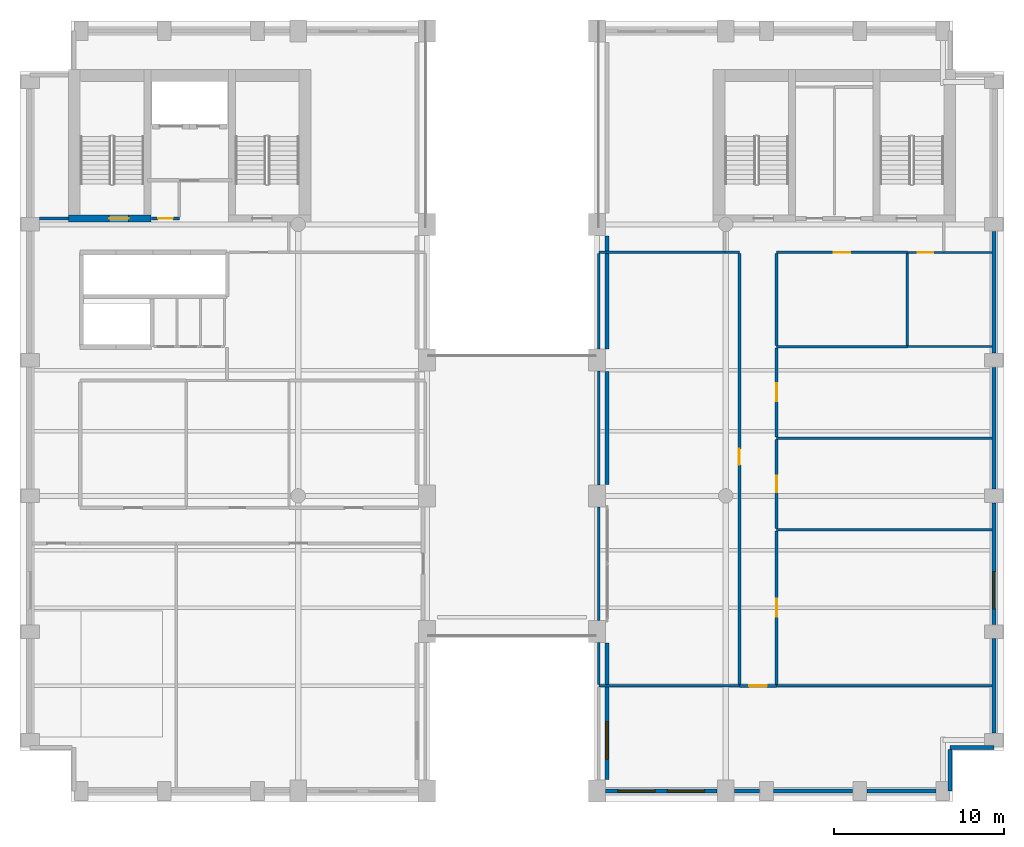
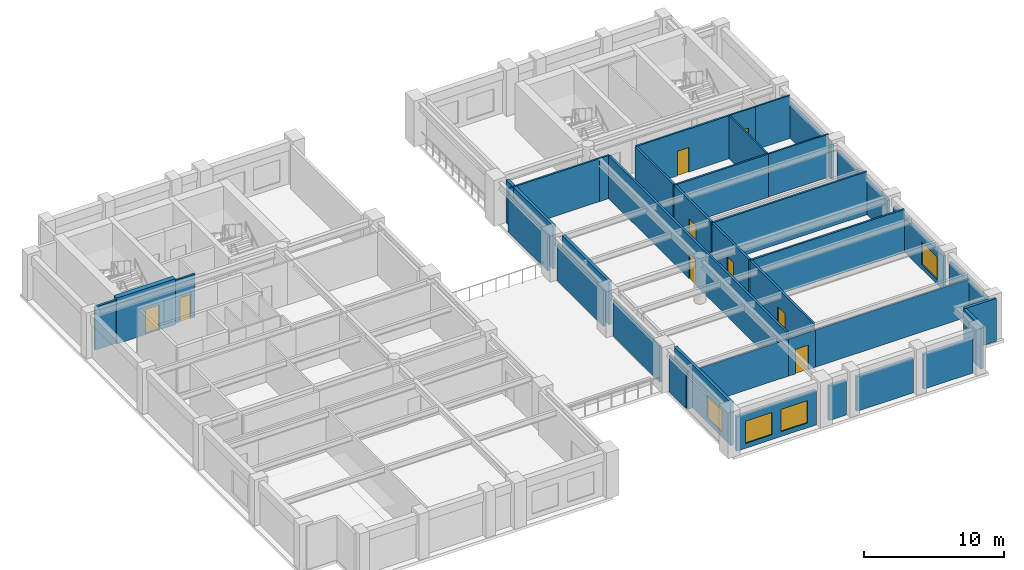
# One storey, part 5 of 10: 38 walls, 9 doors, 4 windows, 13 openings.
"""IFC4 building model written with IfcOpenShell, lengths in metres."""

from ifc_helpers import new_model, si_unit, direction, frame, frame_2d, origin, place, context, subcontext, project, spatial, rectangle, extrude, material, layer, layer_set, type_object, element, fill, save


model = new_model("IFC4")

# Units and contexts
model_context = context("Model", 3, precision=1e-05, world=origin(), true_north=direction((0.0, 1.0)))
body_context = subcontext(model_context, "Body", "Model", "MODEL_VIEW")
ifc_project = project(units=[si_unit("LENGTHUNIT", "METRE"), si_unit("AREAUNIT", "SQUARE_METRE"), si_unit("VOLUMEUNIT", "CUBIC_METRE"), si_unit("PLANEANGLEUNIT", "RADIAN"), si_unit("MASSUNIT", "GRAM", prefix="KILO")], contexts=[model_context])

# Site, building, storey
site_placement = place(None, origin())
site = spatial("IfcSite", under=ifc_project, at=site_placement, CompositionType="ELEMENT")
building_placement = place(site_placement, origin())
building = spatial("IfcBuilding", under=site, at=building_placement, Name="Sulina Concourse Tower", CompositionType="ELEMENT")
storey_placement = place(building_placement, frame((0.0, 0.0, 182.60009765625)))
storey = spatial("IfcBuildingStorey", under=building, at=storey_placement, Name="L44", CompositionType="ELEMENT", Elevation=182.60009765625)

# Wall, openings, windows
ifc_material_1 = material(Name="Precast concrete C50/60", Category="concrete")
ifc_layer_1 = layer(ifc_material_1, 0.239990234375)
ifc_layer_set_1 = layer_set([ifc_layer_1], Name="Precast concrete C50/60")
wall_type_1 = type_object("IfcWallType", Name="Crown Precast Masonry-Frame Facade Wall 240mm", PredefinedType="SOLIDWALL", material=ifc_layer_set_1)
wall_1_placement = place(storey_placement, frame((41.080078125, 0.60009765625, 0.0), z_axis=(0.0, 0.0, 1.0), x_axis=(-1.0, 0.0, 0.0)))
wall_1 = element("IfcWall", 1, at=wall_1_placement, inside=storey, type_object=wall_type_1, Name="L44 exterior precast wall S6", PredefinedType="SOLIDWALL", context=body_context, shape_type="SweptSolid", body=[
    extrude(rectangle(XDim=6.56005859375, YDim=0.239990234375, at=frame_2d((3.280029296875, 0.0))), origin(), (0.0, 0.0, 1.0), 3.0),
])
opening_1_placement = place(wall_1_placement, frame((0.719970703125, 0.0, 0.419921875)))
opening_1 = element("IfcOpeningElement", 2, at=opening_1_placement, cuts=wall_1, Name="Opening WN-76", PredefinedType="OPENING", context=body_context, shape_type="SweptSolid", body=[
    extrude(rectangle(XDim=2.199951171875, YDim=1.949951171875, at=frame_2d((1.10009765625, 0.97509765625))), frame((0.0, 0.1298828125, 0.0), z_axis=(0.0, -1.0, 0.0), x_axis=(1.0, 0.0, 0.0)), (0.0, 0.0, 1.0), 0.260009765625),
])
opening_2_placement = place(wall_1_placement, frame((3.639892578125, 0.0, 0.419921875)))
opening_2 = element("IfcOpeningElement", 3, at=opening_2_placement, cuts=wall_1, Name="Opening WN-76", PredefinedType="OPENING", context=body_context, shape_type="SweptSolid", body=[
    extrude(rectangle(XDim=2.199951171875, YDim=1.949951171875, at=frame_2d((1.10009765625, 0.97509765625))), frame((0.0, 0.1298828125, 0.0), z_axis=(0.0, -1.0, 0.0), x_axis=(1.0, 0.0, 0.0)), (0.0, 0.0, 1.0), 0.260009765625),
])
ifc_material_2 = material(Name="Low-E solar double glazing in bronze aluminium", Category="aluminium")
window_type = type_object("IfcWindowType", Name="Recessed Spandrel Window 2200x1950", PartitioningType="DOUBLE_PANEL_VERTICAL", PredefinedType="WINDOW", material=ifc_material_2)
window_1_placement = place(opening_1_placement, origin())
window_1 = element("IfcWindow", 4, at=window_1_placement, inside=storey, type_object=window_type, Name="L44 punched window S6-1", OverallHeight=1.949951171875, OverallWidth=2.199951171875, PartitioningType="SINGLE_PANEL", PredefinedType="WINDOW", context=body_context, shape_type="SweptSolid", body=[
    extrude(rectangle(XDim=2.199951171875, YDim=1.949951171875, at=frame_2d((1.10009765625, 0.97509765625))), frame((0.0, 0.030029296875, 0.0), z_axis=(0.0, -1.0, 0.0), x_axis=(1.0, 0.0, 0.0)), (0.0, 0.0, 1.0), 0.06005859375),
])
fill(opening_1, window_1)
window_2_placement = place(opening_2_placement, origin())
window_2 = element("IfcWindow", 5, at=window_2_placement, inside=storey, type_object=window_type, Name="L44 punched window S6-2", OverallHeight=1.949951171875, OverallWidth=2.199951171875, PartitioningType="SINGLE_PANEL", PredefinedType="WINDOW", context=body_context, shape_type="SweptSolid", body=[
    extrude(rectangle(XDim=2.199951171875, YDim=1.949951171875, at=frame_2d((1.10009765625, 0.97509765625))), frame((0.0, 0.030029296875, 0.0), z_axis=(0.0, -1.0, 0.0), x_axis=(1.0, 0.0, 0.0)), (0.0, 0.0, 1.0), 0.06005859375),
])
fill(opening_2, window_2)

# Walls
wall_2_placement = place(storey_placement, frame((43.580078125, 0.60009765625, 0.0), z_axis=(0.0, 0.0, 1.0), x_axis=(-1.0, 0.0, 0.0)))
element("IfcWall", 6, at=wall_2_placement, inside=storey, type_object=wall_type_1, Name="L44 exterior precast wall S7", PredefinedType="SOLIDWALL", context=body_context, shape_type="SweptSolid", body=[
    extrude(rectangle(XDim=1.4599609375, YDim=0.239990234375, at=frame_2d((0.72998046875, 0.0))), origin(), (0.0, 0.0, 1.0), 3.0),
])
wall_3_placement = place(storey_placement, frame((49.080078125, 0.60009765625, 0.0), z_axis=(0.0, 0.0, 1.0), x_axis=(-1.0, 0.0, 0.0)))
element("IfcWall", 7, at=wall_3_placement, inside=storey, type_object=wall_type_1, Name="L44 exterior precast wall S8", PredefinedType="SOLIDWALL", context=body_context, shape_type="SweptSolid", body=[
    extrude(rectangle(XDim=4.66015625, YDim=0.239990234375, at=frame_2d((2.330078125, 0.0))), origin(), (0.0, 0.0, 1.0), 3.0),
])
wall_4_placement = place(storey_placement, frame((53.97998046875, 0.60009765625, 0.0), z_axis=(0.0, 0.0, 1.0), x_axis=(-1.0, 0.0, 0.0)))
element("IfcWall", 8, at=wall_4_placement, inside=storey, type_object=wall_type_1, Name="L44 exterior precast wall S9", PredefinedType="SOLIDWALL", context=body_context, shape_type="SweptSolid", body=[
    extrude(rectangle(XDim=4.06005859375, YDim=0.239990234375, at=frame_2d((2.030029296875, 0.0))), origin(), (0.0, 0.0, 1.0), 3.0),
])
wall_5_placement = place(storey_placement, frame((57.39990234375, 9.580078125, 0.0), z_axis=(0.0, 0.0, 1.0), x_axis=(0.0, -1.0, 0.0)))
element("IfcWall", 9, at=wall_5_placement, inside=storey, type_object=wall_type_1, Name="L44 exterior precast wall E1", PredefinedType="SOLIDWALL", context=body_context, shape_type="SweptSolid", body=[
    extrude(rectangle(XDim=5.56005859375, YDim=0.239990234375, at=frame_2d((2.780029296875, 0.0))), origin(), (0.0, 0.0, 1.0), 3.0),
])

# Wall, opening, window
wall_6_placement = place(storey_placement, frame((57.39990234375, 17.580078125, 0.0), z_axis=(0.0, 0.0, 1.0), x_axis=(0.0, -1.0, 0.0)))
wall_6 = element("IfcWall", 10, at=wall_6_placement, inside=storey, type_object=wall_type_1, Name="L44 exterior precast wall E2", PredefinedType="SOLIDWALL", context=body_context, shape_type="SweptSolid", body=[
    extrude(rectangle(XDim=7.16015625, YDim=0.239990234375, at=frame_2d((3.580078125, 0.0))), origin(), (0.0, 0.0, 1.0), 3.0),
])
opening_3_placement = place(wall_6_placement, frame((4.0400390625, 0.0, 0.419921875)))
opening_3 = element("IfcOpeningElement", 11, at=opening_3_placement, cuts=wall_6, Name="Opening WN-76", PredefinedType="OPENING", context=body_context, shape_type="SweptSolid", body=[
    extrude(rectangle(XDim=2.199951171875, YDim=1.949951171875, at=frame_2d((1.10009765625, 0.97509765625))), frame((0.0, 0.1298828125, 0.0), z_axis=(0.0, -1.0, 0.0), x_axis=(1.0, 0.0, 0.0)), (0.0, 0.0, 1.0), 0.260009765625),
])
window_3_placement = place(opening_3_placement, origin())
window_3 = element("IfcWindow", 12, at=window_3_placement, inside=storey, type_object=window_type, Name="L44 punched window E2-1", OverallHeight=1.949951171875, OverallWidth=2.199951171875, PartitioningType="SINGLE_PANEL", PredefinedType="WINDOW", context=body_context, shape_type="SweptSolid", body=[
    extrude(rectangle(XDim=2.199951171875, YDim=1.949951171875, at=frame_2d((1.10009765625, 0.97509765625))), frame((0.0, 0.030029296875, 0.0), z_axis=(0.0, -1.0, 0.0), x_axis=(1.0, 0.0, 0.0)), (0.0, 0.0, 1.0), 0.06005859375),
])
fill(opening_3, window_3)

# Walls
for number, where, z_axis, x_axis, name in (
    (13, (57.39990234375, 25.580078125, 0.0), (0.0, 0.0, 1.0), (0.0, -1.0, 0.0), "L44 exterior precast wall E3"),
    (14, (57.39990234375, 33.580078125, 0.0), (0.0, 0.0, 1.0), (0.0, -1.0, 0.0), "L44 exterior precast wall E4"),
):
    element("IfcWall", number, at=place(storey_placement, frame(where, z_axis=z_axis, x_axis=x_axis)), inside=storey, type_object=wall_type_1, Name=name, PredefinedType="SOLIDWALL", context=body_context, shape_type="SweptSolid", body=[
        extrude(rectangle(XDim=7.16015625, YDim=0.239990234375, at=frame_2d((3.580078125, 0.0))), origin(), (0.0, 0.0, 1.0), 3.0),
    ])
wall_7_placement = place(storey_placement, frame((57.39990234375, 3.179931640625, 0.0), z_axis=(0.0, 0.0, 1.0), x_axis=(-1.0, 0.0, 0.0)))
element("IfcWall", 15, at=wall_7_placement, inside=storey, type_object=wall_type_1, Name="L44 exterior precast wall CSE1", PredefinedType="SOLIDWALL", context=body_context, shape_type="SweptSolid", body=[
    extrude(rectangle(XDim=2.579833984375, YDim=0.239990234375, at=frame_2d((1.2900390625, 0.0))), origin(), (0.0, 0.0, 1.0), 3.75),
])
wall_8_placement = place(storey_placement, frame((54.820068359375, 3.054931640625, 0.0), z_axis=(0.0, 0.0, 1.0), x_axis=(0.0, -1.0, 0.0)))
element("IfcWall", 16, at=wall_8_placement, inside=storey, type_object=wall_type_1, Name="L44 exterior precast wall CSE2", PredefinedType="SOLIDWALL", context=body_context, shape_type="SweptSolid", body=[
    extrude(rectangle(XDim=2.454833984375, YDim=0.239990234375, at=frame_2d((1.2275390625, 0.0))), origin(), (0.0, 0.0, 1.0), 3.75),
])

# Wall, opening, window
wall_9_placement = place(storey_placement, frame((34.60009765625, 1.27001953125, 0.0), z_axis=(0.0, 0.0, 1.0), x_axis=(0.0, 1.0, 0.0)))
wall_9 = element("IfcWall", 17, at=wall_9_placement, inside=storey, type_object=wall_type_1, Name="L44 exterior precast wall PE1", PredefinedType="SOLIDWALL", context=body_context, shape_type="SweptSolid", body=[
    extrude(rectangle(XDim=8.06005859375, YDim=0.239990234375, at=frame_2d((4.030029296875, 0.0))), origin(), (0.0, 0.0, 1.0), 3.75),
])
opening_4_placement = place(wall_9_placement, frame((1.219970703125, 0.0, 0.419921875)))
opening_4 = element("IfcOpeningElement", 18, at=opening_4_placement, cuts=wall_9, Name="Opening WN-76", PredefinedType="OPENING", context=body_context, shape_type="SweptSolid", body=[
    extrude(rectangle(XDim=2.199951171875, YDim=1.949951171875, at=frame_2d((1.10009765625, 0.97509765625))), frame((0.0, 0.1298828125, 0.0), z_axis=(0.0, -1.0, 0.0), x_axis=(1.0, 0.0, 0.0)), (0.0, 0.0, 1.0), 0.260009765625),
])
window_4_placement = place(opening_4_placement, origin())
window_4 = element("IfcWindow", 19, at=window_4_placement, inside=storey, type_object=window_type, Name="L44 punched window PE1-1", OverallHeight=1.949951171875, OverallWidth=2.199951171875, PartitioningType="SINGLE_PANEL", PredefinedType="WINDOW", context=body_context, shape_type="SweptSolid", body=[
    extrude(rectangle(XDim=2.199951171875, YDim=1.949951171875, at=frame_2d((1.10009765625, 0.97509765625))), frame((0.0, 0.030029296875, 0.0), z_axis=(0.0, -1.0, 0.0), x_axis=(1.0, 0.0, 0.0)), (0.0, 0.0, 1.0), 0.06005859375),
])
fill(opening_4, window_4)

# Walls
for number, where, z_axis, x_axis, name in (
    (20, (34.60009765625, 18.669921875, 0.0), (0.0, 0.0, 1.0), (0.0, 1.0, 0.0), "L44 exterior precast wall PE3"),
    (21, (34.60009765625, 26.669921875, 0.0), (0.0, 0.0, 1.0), (0.0, 1.0, 0.0), "L44 exterior precast wall PE4"),
):
    element("IfcWall", number, at=place(storey_placement, frame(where, z_axis=z_axis, x_axis=x_axis)), inside=storey, type_object=wall_type_1, Name=name, PredefinedType="SOLIDWALL", context=body_context, shape_type="SweptSolid", body=[
        extrude(rectangle(XDim=6.66015625, YDim=0.239990234375, at=frame_2d((3.330078125, 0.0))), origin(), (0.0, 0.0, 1.0), 3.75),
    ])
ifc_material_3 = material(Name="Gypsum board on steel stud", Category="steel")
ifc_layer_2 = layer(ifc_material_3, 0.14990234375)
ifc_layer_set_2 = layer_set([ifc_layer_2], Name="Gypsum board on steel stud")
wall_type_2 = type_object("IfcWallType", Name="Inter-Tenancy Acoustic Partition 150mm", PredefinedType="PARTITIONING", material=ifc_layer_set_2)
wall_10_placement = place(storey_placement, frame((34.1201171875, 6.800048828125, 0.0), z_axis=(0.0, 0.0, 1.0), x_axis=(1.0, 0.0, 0.0)))
element("IfcWall", 22, at=wall_10_placement, inside=storey, type_object=wall_type_2, Name="L44 interior partition 001", PredefinedType="PARTITIONING", context=body_context, shape_type="SweptSolid", body=[
    extrude(rectangle(XDim=8.27978515625, YDim=0.14990234375, at=frame_2d((4.139892578125, 0.0))), origin(), (0.0, 0.0, 1.0), 3.244873046875),
])
wall_11_placement = place(storey_placement, frame((44.60009765625, 6.800048828125, 0.0), z_axis=(0.0, 0.0, 1.0), x_axis=(1.0, 0.0, 0.0)))
element("IfcWall", 23, at=wall_11_placement, inside=storey, type_object=wall_type_2, Name="L44 interior partition 003", PredefinedType="PARTITIONING", context=body_context, shape_type="SweptSolid", body=[
    extrude(rectangle(XDim=12.679931640625, YDim=0.14990234375, at=frame_2d((6.33984375, 0.0))), origin(), (0.0, 0.0, 1.0), 3.244873046875),
])
for number, where, z_axis, x_axis, name in (
    (24, (44.60009765625, 16.0, 0.0), (0.0, 0.0, 1.0), (1.0, 0.0, 0.0), "L44 interior partition 007"),
    (25, (44.60009765625, 21.39990234375, 0.0), (0.0, 0.0, 1.0), (1.0, 0.0, 0.0), "L44 interior partition 011"),
):
    element("IfcWall", number, at=place(storey_placement, frame(where, z_axis=z_axis, x_axis=x_axis)), inside=storey, type_object=wall_type_2, Name=name, PredefinedType="PARTITIONING", context=body_context, shape_type="SweptSolid", body=[
        extrude(rectangle(XDim=12.679931640625, YDim=0.14990234375, at=frame_2d((6.33984375, 0.0))), origin(), (0.0, 0.0, 1.0), 3.75),
    ])
wall_12_placement = place(storey_placement, frame((44.60009765625, 26.800048828125, 0.0), z_axis=(0.0, 0.0, 1.0), x_axis=(1.0, 0.0, 0.0)))
element("IfcWall", 26, at=wall_12_placement, inside=storey, type_object=wall_type_2, Name="L44 interior partition 019", PredefinedType="PARTITIONING", context=body_context, shape_type="SweptSolid", body=[
    extrude(rectangle(XDim=7.699951171875, YDim=0.14990234375, at=frame_2d((3.85009765625, 0.0))), origin(), (0.0, 0.0, 1.0), 3.75),
])
wall_13_placement = place(storey_placement, frame((34.1201171875, 32.35009765625, 0.0), z_axis=(0.0, 0.0, 1.0), x_axis=(1.0, 0.0, 0.0)))
element("IfcWall", 27, at=wall_13_placement, inside=storey, type_object=wall_type_2, Name="L44 interior partition 023", PredefinedType="PARTITIONING", context=body_context, shape_type="SweptSolid", body=[
    extrude(rectangle(XDim=7.429931640625, YDim=0.14990234375, at=frame_2d((3.71484375, 0.0))), origin(), (0.0, 0.0, 1.0), 3.75),
])
wall_14_placement = place(storey_placement, frame((41.550048828125, 32.35009765625, 0.0), z_axis=(0.0, 0.0, 1.0), x_axis=(1.0, 0.0, 0.0)))
element("IfcWall", 28, at=wall_14_placement, inside=storey, type_object=wall_type_2, Name="L44 interior partition 024", PredefinedType="PARTITIONING", context=body_context, shape_type="SweptSolid", body=[
    extrude(rectangle(XDim=0.849853515625, YDim=0.14990234375, at=frame_2d((0.4248046875, 0.0))), origin(), (0.0, 0.0, 1.0), 3.75),
])

# Wall, opening, door
wall_15_placement = place(storey_placement, frame((44.60009765625, 32.35009765625, 0.0), z_axis=(0.0, 0.0, 1.0), x_axis=(1.0, 0.0, 0.0)))
wall_15 = element("IfcWall", 29, at=wall_15_placement, inside=storey, type_object=wall_type_2, Name="L44 interior partition 025", PredefinedType="PARTITIONING", context=body_context, shape_type="SweptSolid", body=[
    extrude(rectangle(XDim=7.699951171875, YDim=0.14990234375, at=frame_2d((3.85009765625, 0.0))), origin(), (0.0, 0.0, 1.0), 3.75),
])
opening_5_placement = place(wall_15_placement, frame((3.375, 0.0, 0.0)))
opening_5 = element("IfcOpeningElement", 30, at=opening_5_placement, cuts=wall_15, Name="Opening DR-19", PredefinedType="OPENING", context=body_context, shape_type="SweptSolid", body=[
    extrude(rectangle(XDim=0.949951171875, YDim=2.14990234375, at=frame_2d((0.47509765625, 1.074951171875))), frame((0.0, 0.0849609375, 0.0), z_axis=(0.0, -1.0, 0.0), x_axis=(1.0, 0.0, 0.0)), (0.0, 0.0, 1.0), 0.169921875),
])
ifc_material_4 = material(Name="Oak-veneered acoustic timber leaf", Category="wood")
ifc_layer_3 = layer(ifc_material_4, 0.050048828125)
ifc_layer_set_3 = layer_set([ifc_layer_3], Name="Oak-veneered acoustic timber leaf")
door_type_1 = type_object("IfcDoorType", Name="Cellular Office & Meeting Door 950x2150", OperationType="NOTDEFINED", PredefinedType="DOOR", material=ifc_layer_set_3)
door_1_placement = place(opening_5_placement, origin())
door_1 = element("IfcDoor", 31, at=door_1_placement, inside=storey, type_object=door_type_1, Name="L44 interior door L44-REC-E1", OperationType="SINGLE_SWING_RIGHT", OverallHeight=2.14990234375, OverallWidth=0.949951171875, PredefinedType="DOOR", context=body_context, shape_type="SweptSolid", body=[
    extrude(rectangle(XDim=0.949951171875, YDim=2.14990234375, at=frame_2d((0.47509765625, 1.074951171875))), frame((0.0, 0.02490234375, 0.0), z_axis=(0.0, -1.0, 0.0), x_axis=(1.0, 0.0, 0.0)), (0.0, 0.0, 1.0), 0.050048828125),
])
fill(opening_5, door_1)

wall_16_placement = place(storey_placement, frame((7.75, 34.35009765625, 0.0), z_axis=(0.0, 0.0, 1.0), x_axis=(1.0, 0.0, 0.0)))
wall_16 = element("IfcWall", 32, at=wall_16_placement, inside=storey, type_object=wall_type_2, Name="L44 interior partition 029", PredefinedType="PARTITIONING", context=body_context, shape_type="SweptSolid", body=[
    extrude(rectangle(XDim=1.64990234375, YDim=0.14990234375, at=frame_2d((0.824951171875, 0.0))), origin(), (0.0, 0.0, 1.0), 3.75),
])
opening_6_placement = place(wall_16_placement, frame((0.385009765625, 0.0, 0.0)))
opening_6 = element("IfcOpeningElement", 33, at=opening_6_placement, cuts=wall_16, Name="Opening DR-38", PredefinedType="OPENING", context=body_context, shape_type="SweptSolid", body=[
    extrude(rectangle(XDim=0.8798828125, YDim=2.10009765625, at=frame_2d((0.43994140625, 1.050048828125))), frame((0.0, 0.0849609375, 0.0), z_axis=(0.0, -1.0, 0.0), x_axis=(1.0, 0.0, 0.0)), (0.0, 0.0, 1.0), 0.169921875),
])
ifc_material_5 = material(Name="Galvanised steel acoustic fire leaf", Category="steel")
ifc_layer_4 = layer(ifc_material_5, 0.050048828125)
ifc_layer_set_4 = layer_set([ifc_layer_4], Name="Galvanised steel acoustic fire leaf")
door_type_2 = type_object("IfcDoorType", Name="Service Riser Fire Door 880x2100", OperationType="NOTDEFINED", PredefinedType="DOOR", material=ifc_layer_set_4)
door_2_placement = place(opening_6_placement, origin())
door_2 = element("IfcDoor", 34, at=door_2_placement, inside=storey, type_object=door_type_2, Name="L44 interior door L44-CLN-N", OperationType="SINGLE_SWING_RIGHT", OverallHeight=2.10009765625, OverallWidth=0.8798828125, PredefinedType="DOOR", context=body_context, shape_type="SweptSolid", body=[
    extrude(rectangle(XDim=0.8798828125, YDim=2.10009765625, at=frame_2d((0.43994140625, 1.050048828125))), frame((0.0, 0.02490234375, 0.0), z_axis=(0.0, -1.0, 0.0), x_axis=(1.0, 0.0, 0.0)), (0.0, 0.0, 1.0), 0.050048828125),
])
fill(opening_6, door_2)

# Walls
wall_17_placement = place(storey_placement, frame((34.1201171875, 6.875, 0.0), z_axis=(0.0, 0.0, 1.0), x_axis=(0.0, 1.0, 0.0)))
element("IfcWall", 35, at=wall_17_placement, inside=storey, type_object=wall_type_2, Name="L44 interior partition 046", PredefinedType="PARTITIONING", context=body_context, shape_type="SweptSolid", body=[
    extrude(rectangle(XDim=2.47509765625, YDim=0.14990234375, at=frame_2d((1.237548828125, 0.0))), origin(), (0.0, 0.0, 1.0), 3.14501953125),
])
for number, where, z_axis, x_axis, name in (
    (36, (34.1201171875, 10.64990234375, 0.0), (0.0, 0.0, 1.0), (0.0, 1.0, 0.0), "L44 interior partition 047"),
    (37, (34.1201171875, 18.64990234375, 0.0), (0.0, 0.0, 1.0), (0.0, 1.0, 0.0), "L44 interior partition 048"),
):
    element("IfcWall", number, at=place(storey_placement, frame(where, z_axis=z_axis, x_axis=x_axis)), inside=storey, type_object=wall_type_2, Name=name, PredefinedType="PARTITIONING", context=body_context, shape_type="SweptSolid", body=[
        extrude(rectangle(XDim=6.7001953125, YDim=0.14990234375, at=frame_2d((3.35009765625, 0.0))), origin(), (0.0, 0.0, 1.0), 3.14501953125),
    ])
wall_18_placement = place(storey_placement, frame((34.1201171875, 26.64990234375, 0.0), z_axis=(0.0, 0.0, 1.0), x_axis=(0.0, 1.0, 0.0)))
element("IfcWall", 38, at=wall_18_placement, inside=storey, type_object=wall_type_2, Name="L44 interior partition 049", PredefinedType="PARTITIONING", context=body_context, shape_type="SweptSolid", body=[
    extrude(rectangle(XDim=5.625, YDim=0.14990234375, at=frame_2d((2.8125, 0.0))), origin(), (0.0, 0.0, 1.0), 3.14501953125),
])

# Wall, opening, door
ifc_material_6 = material(Name="Gypsum board on steel stud", Category="steel")
ifc_layer_5 = layer(ifc_material_6, 0.179931640625)
ifc_layer_set_5 = layer_set([ifc_layer_5], Name="Gypsum board on steel stud")
wall_type_3 = type_object("IfcWallType", Name="Protected Corridor & Riser Partition 180mm", PredefinedType="PARTITIONING", material=ifc_layer_set_5)
wall_19_placement = place(storey_placement, frame((42.39990234375, 6.800048828125, 0.0), z_axis=(0.0, 0.0, 1.0), x_axis=(1.0, 0.0, 0.0)))
wall_19 = element("IfcWall", 39, at=wall_19_placement, inside=storey, type_object=wall_type_3, Name="L44 interior partition 002", PredefinedType="PARTITIONING", context=body_context, shape_type="SweptSolid", body=[
    extrude(rectangle(XDim=2.2001953125, YDim=0.179931640625, at=frame_2d((1.10009765625, 0.0))), origin(), (0.0, 0.0, 1.0), 3.244873046875),
])
opening_7_placement = place(wall_19_placement, frame((0.574951171875, 0.0, 0.0)))
opening_7 = element("IfcOpeningElement", 40, at=opening_7_placement, cuts=wall_19, Name="Opening DR-37", PredefinedType="OPENING", context=body_context, shape_type="SweptSolid", body=[
    extrude(rectangle(XDim=1.050048828125, YDim=2.14990234375, at=frame_2d((0.52490234375, 1.074951171875))), frame((0.0, 0.099853515625, 0.0), z_axis=(0.0, -1.0, 0.0), x_axis=(1.0, 0.0, 0.0)), (0.0, 0.0, 1.0), 0.199951171875),
])
ifc_material_7 = material(Name="Oak-veneered fire door leaf")
ifc_layer_6 = layer(ifc_material_7, 0.050048828125)
ifc_layer_set_6 = layer_set([ifc_layer_6], Name="Oak-veneered fire door leaf")
door_type_3 = type_object("IfcDoorType", Name="Tenant Suite Entrance Fire Door 1050x2150", OperationType="NOTDEFINED", PredefinedType="DOOR", material=ifc_layer_set_6)
door_3_placement = place(opening_7_placement, origin())
door_3 = element("IfcDoor", 41, at=door_3_placement, inside=storey, type_object=door_type_3, Name="L44 interior door L44-OFF-E1", OperationType="SINGLE_SWING_RIGHT", OverallHeight=2.14990234375, OverallWidth=1.050048828125, PredefinedType="DOOR", context=body_context, shape_type="SweptSolid", body=[
    extrude(rectangle(XDim=1.050048828125, YDim=2.14990234375, at=frame_2d((0.52490234375, 1.074951171875))), frame((0.0, 0.02490234375, 0.0), z_axis=(0.0, -1.0, 0.0), x_axis=(1.0, 0.0, 0.0)), (0.0, 0.0, 1.0), 0.050048828125),
])
fill(opening_7, door_3)

# Wall
wall_20_placement = place(storey_placement, frame((1.14990234375, 34.35009765625, 0.0), z_axis=(0.0, 0.0, 1.0), x_axis=(1.0, 0.0, 0.0)))
element("IfcWall", 42, at=wall_20_placement, inside=storey, type_object=wall_type_3, Name="L44 interior partition 028", PredefinedType="PARTITIONING", context=body_context, shape_type="SweptSolid", body=[
    extrude(rectangle(XDim=1.7001953125, YDim=0.179931640625, at=frame_2d((0.85009765625, 0.0))), origin(), (0.0, 0.0, 1.0), 3.75),
])

# Wall, opening, door
wall_21_placement = place(storey_placement, frame((42.39990234375, 6.889892578125, 0.0), z_axis=(0.0, 0.0, 1.0), x_axis=(0.0, 1.0, 0.0)))
wall_21 = element("IfcWall", 43, at=wall_21_placement, inside=storey, type_object=wall_type_3, Name="L44 interior partition 051", PredefinedType="PARTITIONING", context=body_context, shape_type="SweptSolid", body=[
    extrude(rectangle(XDim=25.385009765625, YDim=0.179931640625, at=frame_2d((12.6923828125, 0.0))), origin(), (0.0, 0.0, 1.0), 3.75),
])
opening_8_placement = place(wall_21_placement, frame((12.9375, 0.0, 0.0)))
opening_8 = element("IfcOpeningElement", 44, at=opening_8_placement, cuts=wall_21, Name="Opening DR-19", PredefinedType="OPENING", context=body_context, shape_type="SweptSolid", body=[
    extrude(rectangle(XDim=0.949951171875, YDim=2.14990234375, at=frame_2d((0.47509765625, 1.074951171875))), frame((0.0, 0.099853515625, 0.0), z_axis=(0.0, -1.0, 0.0), x_axis=(1.0, 0.0, 0.0)), (0.0, 0.0, 1.0), 0.199951171875),
])
door_4_placement = place(opening_8_placement, origin())
door_4 = element("IfcDoor", 45, at=door_4_placement, inside=storey, type_object=door_type_1, Name="L44 interior door L44-STD-EW", OperationType="SINGLE_SWING_LEFT", OverallHeight=2.14990234375, OverallWidth=0.949951171875, PredefinedType="DOOR", context=body_context, shape_type="SweptSolid", body=[
    extrude(rectangle(XDim=0.949951171875, YDim=2.14990234375, at=frame_2d((0.47509765625, 1.074951171875))), frame((0.0, 0.02490234375, 0.0), z_axis=(0.0, -1.0, 0.0), x_axis=(1.0, 0.0, 0.0)), (0.0, 0.0, 1.0), 0.050048828125),
])
fill(opening_8, door_4)

wall_22_placement = place(storey_placement, frame((44.60009765625, 6.889892578125, 0.0), z_axis=(0.0, 0.0, 1.0), x_axis=(0.0, 1.0, 0.0)))
wall_22 = element("IfcWall", 46, at=wall_22_placement, inside=storey, type_object=wall_type_3, Name="L44 interior partition 052", PredefinedType="PARTITIONING", context=body_context, shape_type="SweptSolid", body=[
    extrude(rectangle(XDim=9.03515625, YDim=0.179931640625, at=frame_2d((4.517578125, 0.0))), origin(), (0.0, 0.0, 1.0), 3.75),
])
opening_9_placement = place(wall_22_placement, frame((3.992431640625, 0.0, 0.0)))
opening_9 = element("IfcOpeningElement", 47, at=opening_9_placement, cuts=wall_22, Name="Opening DR-37", PredefinedType="OPENING", context=body_context, shape_type="SweptSolid", body=[
    extrude(rectangle(XDim=1.050048828125, YDim=2.14990234375, at=frame_2d((0.52490234375, 1.074951171875))), frame((0.0, 0.099853515625, 0.0), z_axis=(0.0, -1.0, 0.0), x_axis=(1.0, 0.0, 0.0)), (0.0, 0.0, 1.0), 0.199951171875),
])
door_5_placement = place(opening_9_placement, origin())
door_5 = element("IfcDoor", 48, at=door_5_placement, inside=storey, type_object=door_type_3, Name="L44 interior door L44-MTG-E1", OperationType="SINGLE_SWING_RIGHT", OverallHeight=2.14990234375, OverallWidth=1.050048828125, PredefinedType="DOOR", context=body_context, shape_type="SweptSolid", body=[
    extrude(rectangle(XDim=1.050048828125, YDim=2.14990234375, at=frame_2d((0.52490234375, 1.074951171875))), frame((0.0, 0.02490234375, 0.0), z_axis=(0.0, -1.0, 0.0), x_axis=(1.0, 0.0, 0.0)), (0.0, 0.0, 1.0), 0.050048828125),
])
fill(opening_9, door_5)

wall_23_placement = place(storey_placement, frame((44.60009765625, 16.074951171875, 0.0), z_axis=(0.0, 0.0, 1.0), x_axis=(0.0, 1.0, 0.0)))
wall_23 = element("IfcWall", 49, at=wall_23_placement, inside=storey, type_object=wall_type_3, Name="L44 interior partition 053", PredefinedType="PARTITIONING", context=body_context, shape_type="SweptSolid", body=[
    extrude(rectangle(XDim=5.25, YDim=0.179931640625, at=frame_2d((2.625, 0.0))), origin(), (0.0, 0.0, 1.0), 3.75),
])
opening_10_placement = place(wall_23_placement, frame((2.14990234375, 0.0, 0.0)))
opening_10 = element("IfcOpeningElement", 50, at=opening_10_placement, cuts=wall_23, Name="Opening DR-19", PredefinedType="OPENING", context=body_context, shape_type="SweptSolid", body=[
    extrude(rectangle(XDim=0.949951171875, YDim=2.14990234375, at=frame_2d((0.47509765625, 1.074951171875))), frame((0.0, 0.099853515625, 0.0), z_axis=(0.0, -1.0, 0.0), x_axis=(1.0, 0.0, 0.0)), (0.0, 0.0, 1.0), 0.199951171875),
])
door_6_placement = place(opening_10_placement, origin())
door_6 = element("IfcDoor", 51, at=door_6_placement, inside=storey, type_object=door_type_1, Name="L44 interior door L44-PNT-E1", OperationType="SINGLE_SWING_LEFT", OverallHeight=2.14990234375, OverallWidth=0.949951171875, PredefinedType="DOOR", context=body_context, shape_type="SweptSolid", body=[
    extrude(rectangle(XDim=0.949951171875, YDim=2.14990234375, at=frame_2d((0.47509765625, 1.074951171875))), frame((0.0, 0.02490234375, 0.0), z_axis=(0.0, -1.0, 0.0), x_axis=(1.0, 0.0, 0.0)), (0.0, 0.0, 1.0), 0.050048828125),
])
fill(opening_10, door_6)

wall_24_placement = place(storey_placement, frame((44.60009765625, 21.47509765625, 0.0), z_axis=(0.0, 0.0, 1.0), x_axis=(0.0, 1.0, 0.0)))
wall_24 = element("IfcWall", 52, at=wall_24_placement, inside=storey, type_object=wall_type_3, Name="L44 interior partition 054", PredefinedType="PARTITIONING", context=body_context, shape_type="SweptSolid", body=[
    extrude(rectangle(XDim=5.25, YDim=0.179931640625, at=frame_2d((2.625, 0.0))), origin(), (0.0, 0.0, 1.0), 3.75),
])
opening_11_placement = place(wall_24_placement, frame((2.10009765625, 0.0, 0.0)))
opening_11 = element("IfcOpeningElement", 53, at=opening_11_placement, cuts=wall_24, Name="Opening DR-37", PredefinedType="OPENING", context=body_context, shape_type="SweptSolid", body=[
    extrude(rectangle(XDim=1.050048828125, YDim=2.14990234375, at=frame_2d((0.52490234375, 1.074951171875))), frame((0.0, 0.099853515625, 0.0), z_axis=(0.0, -1.0, 0.0), x_axis=(1.0, 0.0, 0.0)), (0.0, 0.0, 1.0), 0.199951171875),
])
door_7_placement = place(opening_11_placement, origin())
door_7 = element("IfcDoor", 54, at=door_7_placement, inside=storey, type_object=door_type_3, Name="L44 interior door L44-OFF-E4", OperationType="SINGLE_SWING_RIGHT", OverallHeight=2.14990234375, OverallWidth=1.050048828125, PredefinedType="DOOR", context=body_context, shape_type="SweptSolid", body=[
    extrude(rectangle(XDim=1.050048828125, YDim=2.14990234375, at=frame_2d((0.52490234375, 1.074951171875))), frame((0.0, 0.02490234375, 0.0), z_axis=(0.0, -1.0, 0.0), x_axis=(1.0, 0.0, 0.0)), (0.0, 0.0, 1.0), 0.050048828125),
])
fill(opening_11, door_7)

# Wall
wall_25_placement = place(storey_placement, frame((44.60009765625, 26.875, 0.0), z_axis=(0.0, 0.0, 1.0), x_axis=(0.0, 1.0, 0.0)))
element("IfcWall", 55, at=wall_25_placement, inside=storey, type_object=wall_type_3, Name="L44 interior partition 055", PredefinedType="PARTITIONING", context=body_context, shape_type="SweptSolid", body=[
    extrude(rectangle(XDim=5.39990234375, YDim=0.179931640625, at=frame_2d((2.699951171875, 0.0))), origin(), (0.0, 0.0, 1.0), 3.75),
])

# Wall, opening, door
ifc_material_8 = material(Name="Concrete C60/75", Category="concrete")
ifc_layer_7 = layer(ifc_material_8, 0.39990234375)
ifc_layer_set_7 = layer_set([ifc_layer_7], Name="Concrete C60/75")
wall_type_4 = type_object("IfcWallType", Name="Protected Stair Core Shear Wall 400mm", PredefinedType="SHEAR", material=ifc_layer_set_7)
wall_26_placement = place(storey_placement, frame((2.85009765625, 34.35009765625, 0.0), z_axis=(0.0, 0.0, 1.0), x_axis=(1.0, 0.0, 0.0)))
wall_26 = element("IfcWall", 56, at=wall_26_placement, inside=storey, type_object=wall_type_4, Name="L44 west core shear wall CW-WS1", PredefinedType="SHEAR", context=body_context, shape_type="SweptSolid", body=[
    extrude(rectangle(XDim=4.85986328125, YDim=0.39990234375, at=frame_2d((2.429931640625, 0.0))), origin(), (0.0, 0.0, 1.0), 4.0),
])
opening_12_placement = place(wall_26_placement, frame((2.39990234375, 0.0, 0.0)))
opening_12 = element("IfcOpeningElement", 57, at=opening_12_placement, cuts=wall_26, Name="Opening DR-60", PredefinedType="OPENING", context=body_context, shape_type="SweptSolid", body=[
    extrude(rectangle(XDim=1.14990234375, YDim=2.199951171875, at=frame_2d((0.574951171875, 1.10009765625))), frame((0.0, 0.2099609375, 0.0), z_axis=(0.0, -1.0, 0.0), x_axis=(1.0, 0.0, 0.0)), (0.0, 0.0, 1.0), 0.419921875),
])
ifc_material_9 = material(Name="Galvanised steel acoustic fire leaf", Category="steel")
ifc_layer_8 = layer(ifc_material_9, 0.054931640625)
ifc_layer_set_8 = layer_set([ifc_layer_8], Name="Galvanised steel acoustic fire leaf")
door_type_4 = type_object("IfcDoorType", Name="Protected Exit Stair Fire Door 1150x2200", OperationType="NOTDEFINED", PredefinedType="DOOR", material=ifc_layer_set_8)
door_8_placement = place(opening_12_placement, origin())
door_8 = element("IfcDoor", 58, at=door_8_placement, inside=storey, type_object=door_type_4, Name="L44 stair ST-1 lobby fire door", OperationType="SINGLE_SWING_LEFT", OverallHeight=2.199951171875, OverallWidth=1.14990234375, PredefinedType="DOOR", context=body_context, shape_type="SweptSolid", body=[
    extrude(rectangle(XDim=1.14990234375, YDim=2.199951171875, at=frame_2d((0.574951171875, 1.10009765625))), frame((0.0, 0.02490234375, 0.0), z_axis=(0.0, -1.0, 0.0), x_axis=(1.0, 0.0, 0.0)), (0.0, 0.0, 1.0), 0.050048828125),
])
fill(opening_12, door_8)

# Wall
ifc_material_10 = material(Name="Gypsum board on steel stud", Category="steel")
ifc_layer_9 = layer(ifc_material_10, 0.125)
ifc_layer_set_9 = layer_set([ifc_layer_9], Name="Gypsum board on steel stud")
wall_type_5 = type_object("IfcWallType", Name="Wet-Area Moisture-Resistant Partition 125mm", PredefinedType="PARTITIONING", material=ifc_layer_set_9)
wall_27_placement = place(storey_placement, frame((52.300048828125, 26.800048828125, 0.0), z_axis=(0.0, 0.0, 1.0), x_axis=(1.0, 0.0, 0.0)))
element("IfcWall", 59, at=wall_27_placement, inside=storey, type_object=wall_type_5, Name="L44 interior partition 020", PredefinedType="PARTITIONING", context=body_context, shape_type="SweptSolid", body=[
    extrude(rectangle(XDim=4.97998046875, YDim=0.125, at=frame_2d((2.489990234375, 0.0))), origin(), (0.0, 0.0, 1.0), 3.75),
])

# Wall, opening, door
wall_28_placement = place(storey_placement, frame((52.300048828125, 32.35009765625, 0.0), z_axis=(0.0, 0.0, 1.0), x_axis=(1.0, 0.0, 0.0)))
wall_28 = element("IfcWall", 60, at=wall_28_placement, inside=storey, type_object=wall_type_5, Name="L44 interior partition 026", PredefinedType="PARTITIONING", context=body_context, shape_type="SweptSolid", body=[
    extrude(rectangle(XDim=2.14990234375, YDim=0.125, at=frame_2d((1.074951171875, 0.0))), origin(), (0.0, 0.0, 1.0), 3.75),
])
opening_13_placement = place(wall_28_placement, frame((0.614990234375, 0.0, 0.0)))
opening_13 = element("IfcOpeningElement", 61, at=opening_13_placement, cuts=wall_28, Name="Opening DR-61", PredefinedType="OPENING", context=body_context, shape_type="SweptSolid", body=[
    extrude(rectangle(XDim=0.919921875, YDim=2.10009765625, at=frame_2d((0.4599609375, 1.050048828125))), frame((0.0, 0.072509765625, 0.0), z_axis=(0.0, -1.0, 0.0), x_axis=(1.0, 0.0, 0.0)), (0.0, 0.0, 1.0), 0.14501953125),
])
ifc_material_11 = material(Name="Oak-veneered fire door leaf")
ifc_layer_10 = layer(ifc_material_11, 0.050048828125)
ifc_layer_set_10 = layer_set([ifc_layer_10], Name="Oak-veneered fire door leaf")
door_type_5 = type_object("IfcDoorType", Name="Accessible WC Door 920x2100", OperationType="NOTDEFINED", PredefinedType="DOOR", material=ifc_layer_set_10)
door_9_placement = place(opening_13_placement, origin())
door_9 = element("IfcDoor", 62, at=door_9_placement, inside=storey, type_object=door_type_5, Name="L44 interior door L44-WC-EA", OperationType="SINGLE_SWING_LEFT", OverallHeight=2.10009765625, OverallWidth=0.919921875, PredefinedType="DOOR", context=body_context, shape_type="SweptSolid", body=[
    extrude(rectangle(XDim=0.919921875, YDim=2.10009765625, at=frame_2d((0.4599609375, 1.050048828125))), frame((0.0, 0.02490234375, 0.0), z_axis=(0.0, -1.0, 0.0), x_axis=(1.0, 0.0, 0.0)), (0.0, 0.0, 1.0), 0.050048828125),
])
fill(opening_13, door_9)

# Walls
wall_29_placement = place(storey_placement, frame((54.449951171875, 32.35009765625, 0.0), z_axis=(0.0, 0.0, 1.0), x_axis=(1.0, 0.0, 0.0)))
element("IfcWall", 63, at=wall_29_placement, inside=storey, type_object=wall_type_5, Name="L44 interior partition 027", PredefinedType="PARTITIONING", context=body_context, shape_type="SweptSolid", body=[
    extrude(rectangle(XDim=2.830078125, YDim=0.125, at=frame_2d((1.4150390625, 0.0))), origin(), (0.0, 0.0, 1.0), 3.75),
])
wall_30_placement = place(storey_placement, frame((52.300048828125, 26.875, 0.0), z_axis=(0.0, 0.0, 1.0), x_axis=(0.0, 1.0, 0.0)))
element("IfcWall", 64, at=wall_30_placement, inside=storey, type_object=wall_type_5, Name="L44 interior partition 057", PredefinedType="PARTITIONING", context=body_context, shape_type="SweptSolid", body=[
    extrude(rectangle(XDim=5.39990234375, YDim=0.125, at=frame_2d((2.699951171875, 0.0))), origin(), (0.0, 0.0, 1.0), 3.75),
])

save(model, "model.ifc")
